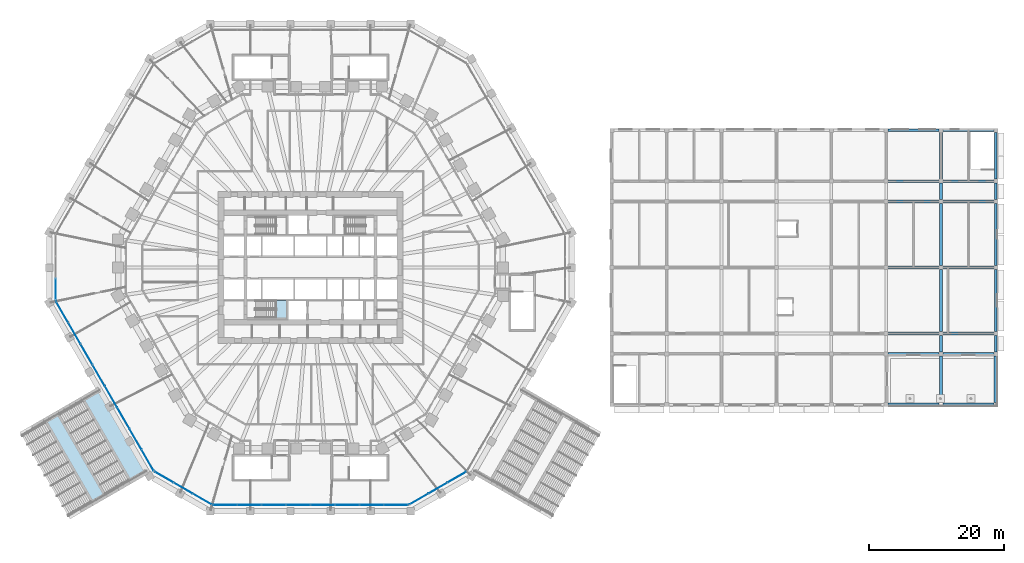
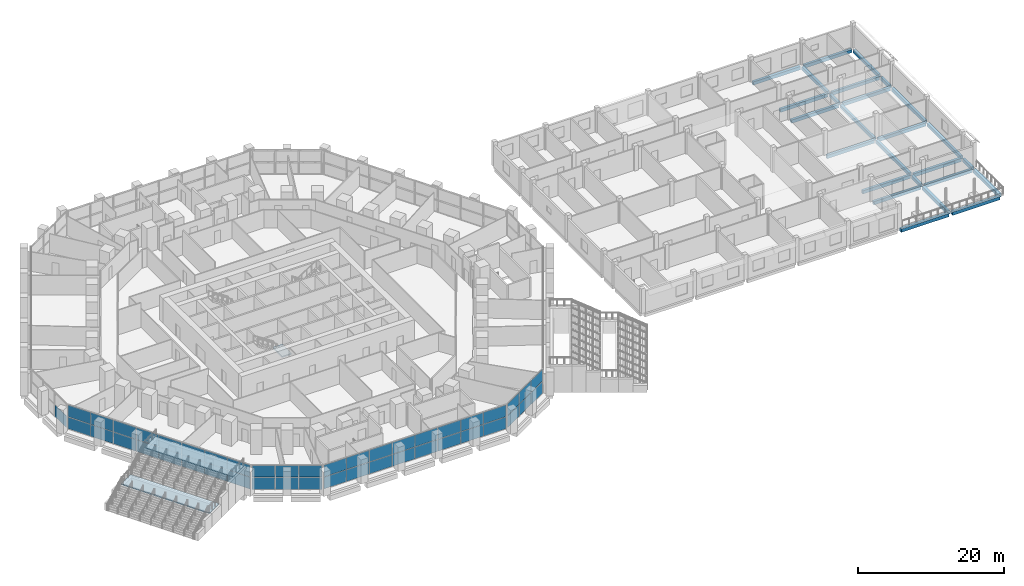
# One storey, part 16 of 38: 45 plates, 26 beams, 3 slabs, 7 elements without a shape of their own.
"""IFC4 building model written with IfcOpenShell, lengths in metres."""

from ifc_helpers import new_model, si_unit, direction, frame, origin, origin_2d, place, context, subcontext, project, spatial, polyline, rectangle, outline, extrude, material, layer, layer_set, material_profile, profile_set, type_object, element, aggregate, save


model = new_model("IFC4")

# Units and contexts
model_context = context("Model", 3, precision=1e-05, world=origin(), true_north=direction((0.0, 1.0)))
body_context = subcontext(model_context, "Body", "Model", "MODEL_VIEW")
ifc_project = project(units=[si_unit("LENGTHUNIT", "METRE"), si_unit("AREAUNIT", "SQUARE_METRE"), si_unit("VOLUMEUNIT", "CUBIC_METRE"), si_unit("PLANEANGLEUNIT", "RADIAN"), si_unit("MASSUNIT", "GRAM", prefix="KILO")], contexts=[model_context])

# Site, building, storey
site_placement = place(None, origin())
site = spatial("IfcSite", under=ifc_project, at=site_placement, CompositionType="ELEMENT")
building_placement = place(site_placement, origin())
building = spatial("IfcBuilding", under=site, at=building_placement, Name="Frailejon Research Tower", CompositionType="ELEMENT")
storey_placement = place(building_placement, frame((0.0, 0.0, 10.199951171875)))
storey = spatial("IfcBuildingStorey", under=building, at=storey_placement, Name="L02", CompositionType="ELEMENT", Elevation=10.199951171875)

# Beams
ifc_material_1 = material(Name="Concrete C35/45", Category="concrete")
ifc_material_profile_1 = material_profile(ifc_material_1, rectangle(XDim=0.39990234375, YDim=0.550048828125, at=origin_2d()), Name="HC floor beam 400x550")
ifc_profile_set_1 = profile_set([ifc_material_profile_1], Name="Concrete C35/45")
beam_type_1 = type_object("IfcBeamType", Name="HC floor beam 400x550", PredefinedType="BEAM", material=ifc_profile_set_1)
for number, where, z_axis, x_axis, name in (
    (1, (85.300048828125, -12.75, -0.52490234375), (1.0, 0.0, 0.0), (0.0, 1.0, 0.0), "HC floor beam"),
    (2, (93.39990234375, -12.75, -0.52490234375), (1.0, 0.0, 0.0), (0.0, 1.0, 0.0), "HC floor beam"),
    (3, (85.300048828125, -9.75, -0.52490234375), (1.0, 0.0, 0.0), (0.0, 1.0, 0.0), "HC floor beam"),
    (4, (93.39990234375, -9.75, -0.52490234375), (1.0, 0.0, 0.0), (0.0, 1.0, 0.0), "HC floor beam"),
    (5, (85.300048828125, 0.0, -0.52490234375), (1.0, 0.0, 0.0), (0.0, 1.0, 0.0), "HC floor beam"),
    (6, (93.39990234375, 0.0, -0.52490234375), (1.0, 0.0, 0.0), (0.0, 1.0, 0.0), "HC floor beam"),
    (7, (85.300048828125, 9.75, -0.52490234375), (1.0, 0.0, 0.0), (0.0, 1.0, 0.0), "HC floor beam"),
    (8, (93.39990234375, 9.75, -0.52490234375), (1.0, 0.0, 0.0), (0.0, 1.0, 0.0), "HC floor beam"),
    (9, (85.300048828125, 12.75, -0.52490234375), (1.0, 0.0, 0.0), (0.0, 1.0, 0.0), "HC floor beam"),
    (10, (93.39990234375, 12.75, -0.52490234375), (1.0, 0.0, 0.0), (0.0, 1.0, 0.0), "HC floor beam"),
    (11, (85.300048828125, 20.25, -0.52490234375), (1.0, 0.0, 0.0), (0.0, 1.0, 0.0), "HC floor beam"),
    (12, (93.39990234375, 20.25, -0.52490234375), (1.0, 0.0, 0.0), (0.0, 1.0, 0.0), "HC floor beam"),
):
    element("IfcBeam", number, at=place(storey_placement, frame(where, z_axis=z_axis, x_axis=x_axis)), inside=storey, type_object=beam_type_1, Name=name, PredefinedType="BEAM", context=body_context, shape_type="SweptSolid", body=[
        extrude(rectangle(XDim=0.39990234375, YDim=0.550048828125, at=origin_2d()), origin(), (0.0, 0.0, 1.0), 7.5),
    ])
beam_1_placement = place(storey_placement, frame((93.10009765625, -12.449951171875, -0.52490234375), z_axis=(0.0, 1.0, 0.0), x_axis=(-1.0, 0.0, 0.0)))
element("IfcBeam", 13, at=beam_1_placement, inside=storey, type_object=beam_type_1, Name="HC floor beam", PredefinedType="BEAM", context=body_context, shape_type="SweptSolid", body=[
    extrude(rectangle(XDim=0.39990234375, YDim=0.550048828125, at=origin_2d()), origin(), (0.0, 0.0, 1.0), 2.39990234375),
])
for number, where, z_axis, x_axis, name in (
    (14, (93.10009765625, -9.449951171875, -0.52490234375), (0.0, 1.0, 0.0), (-1.0, 0.0, 0.0), "HC floor beam"),
    (15, (93.10009765625, 0.300048828125, -0.52490234375), (0.0, 1.0, 0.0), (-1.0, 0.0, 0.0), "HC floor beam"),
):
    element("IfcBeam", number, at=place(storey_placement, frame(where, z_axis=z_axis, x_axis=x_axis)), inside=storey, type_object=beam_type_1, Name=name, PredefinedType="BEAM", context=body_context, shape_type="SweptSolid", body=[
        extrude(rectangle(XDim=0.39990234375, YDim=0.550048828125, at=origin_2d()), origin(), (0.0, 0.0, 1.0), 9.14990234375),
    ])
beam_2_placement = place(storey_placement, frame((93.10009765625, 10.050048828125, -0.52490234375), z_axis=(0.0, 1.0, 0.0), x_axis=(-1.0, 0.0, 0.0)))
element("IfcBeam", 16, at=beam_2_placement, inside=storey, type_object=beam_type_1, Name="HC floor beam", PredefinedType="BEAM", context=body_context, shape_type="SweptSolid", body=[
    extrude(rectangle(XDim=0.39990234375, YDim=0.550048828125, at=origin_2d()), origin(), (0.0, 0.0, 1.0), 2.39990234375),
])
beam_3_placement = place(storey_placement, frame((93.10009765625, 13.050048828125, -0.52490234375), z_axis=(0.0, 1.0, 0.0), x_axis=(-1.0, 0.0, 0.0)))
element("IfcBeam", 17, at=beam_3_placement, inside=storey, type_object=beam_type_1, Name="HC floor beam", PredefinedType="BEAM", context=body_context, shape_type="SweptSolid", body=[
    extrude(rectangle(XDim=0.39990234375, YDim=0.550048828125, at=origin_2d()), origin(), (0.0, 0.0, 1.0), 6.89990234375),
])
beam_4_placement = place(storey_placement, frame((101.199951171875, -12.449951171875, -0.52490234375), z_axis=(0.0, 1.0, 0.0), x_axis=(-1.0, 0.0, 0.0)))
element("IfcBeam", 18, at=beam_4_placement, inside=storey, type_object=beam_type_1, Name="HC floor beam", PredefinedType="BEAM", context=body_context, shape_type="SweptSolid", body=[
    extrude(rectangle(XDim=0.39990234375, YDim=0.550048828125, at=origin_2d()), origin(), (0.0, 0.0, 1.0), 2.39990234375),
])
for number, where, z_axis, x_axis, name in (
    (19, (101.199951171875, -9.449951171875, -0.52490234375), (0.0, 1.0, 0.0), (-1.0, 0.0, 0.0), "HC floor beam"),
    (20, (101.199951171875, 0.300048828125, -0.52490234375), (0.0, 1.0, 0.0), (-1.0, 0.0, 0.0), "HC floor beam"),
):
    element("IfcBeam", number, at=place(storey_placement, frame(where, z_axis=z_axis, x_axis=x_axis)), inside=storey, type_object=beam_type_1, Name=name, PredefinedType="BEAM", context=body_context, shape_type="SweptSolid", body=[
        extrude(rectangle(XDim=0.39990234375, YDim=0.550048828125, at=origin_2d()), origin(), (0.0, 0.0, 1.0), 9.14990234375),
    ])
beam_5_placement = place(storey_placement, frame((101.199951171875, 10.050048828125, -0.52490234375), z_axis=(0.0, 1.0, 0.0), x_axis=(-1.0, 0.0, 0.0)))
element("IfcBeam", 21, at=beam_5_placement, inside=storey, type_object=beam_type_1, Name="HC floor beam", PredefinedType="BEAM", context=body_context, shape_type="SweptSolid", body=[
    extrude(rectangle(XDim=0.39990234375, YDim=0.550048828125, at=origin_2d()), origin(), (0.0, 0.0, 1.0), 2.39990234375),
])
beam_6_placement = place(storey_placement, frame((101.199951171875, 13.050048828125, -0.52490234375), z_axis=(0.0, 1.0, 0.0), x_axis=(-1.0, 0.0, 0.0)))
element("IfcBeam", 22, at=beam_6_placement, inside=storey, type_object=beam_type_1, Name="HC floor beam", PredefinedType="BEAM", context=body_context, shape_type="SweptSolid", body=[
    extrude(rectangle(XDim=0.39990234375, YDim=0.550048828125, at=origin_2d()), origin(), (0.0, 0.0, 1.0), 6.89990234375),
])
ifc_material_2 = material(Name="Concrete C35/45", Category="concrete")
ifc_material_profile_2 = material_profile(ifc_material_2, rectangle(XDim=0.5, YDim=0.550048828125, at=origin_2d()), Name="HC terrace beam 500x550")
ifc_profile_set_2 = profile_set([ifc_material_profile_2], Name="Concrete C35/45")
beam_type_2 = type_object("IfcBeamType", Name="HC terrace beam 500x550", PredefinedType="BEAM", material=ifc_profile_set_2)
for number, where, z_axis, x_axis, name in (
    (23, (85.300048828125, -20.25, -0.52490234375), (1.0, 0.0, 0.0), (0.0, 1.0, 0.0), "HC terrace floor beam"),
    (24, (93.39990234375, -20.25, -0.52490234375), (1.0, 0.0, 0.0), (0.0, 1.0, 0.0), "HC terrace floor beam"),
):
    element("IfcBeam", number, at=place(storey_placement, frame(where, z_axis=z_axis, x_axis=x_axis)), inside=storey, type_object=beam_type_2, Name=name, PredefinedType="BEAM", context=body_context, shape_type="SweptSolid", body=[
        extrude(rectangle(XDim=0.5, YDim=0.550048828125, at=origin_2d()), origin(), (0.0, 0.0, 1.0), 7.5),
    ])
for number, where, z_axis, x_axis, name in (
    (25, (93.10009765625, -19.949951171875, -0.52490234375), (0.0, 1.0, 0.0), (-1.0, 0.0, 0.0), "HC terrace floor beam"),
    (26, (101.199951171875, -19.949951171875, -0.52490234375), (0.0, 1.0, 0.0), (-1.0, 0.0, 0.0), "HC terrace floor beam"),
):
    element("IfcBeam", number, at=place(storey_placement, frame(where, z_axis=z_axis, x_axis=x_axis)), inside=storey, type_object=beam_type_2, Name=name, PredefinedType="BEAM", context=body_context, shape_type="SweptSolid", body=[
        extrude(rectangle(XDim=0.5, YDim=0.550048828125, at=origin_2d()), origin(), (0.0, 0.0, 1.0), 6.89990234375),
    ])

# Stair, slabs
ifc_material_3 = material(Name="Concrete C35/45", Category="concrete")
stair_type_1 = type_object("IfcStairType", Name="Broad stair", PredefinedType="STRAIGHT_RUN_STAIR", material=ifc_material_3)
stair_1_placement = place(storey_placement, origin())
stair_1 = element("IfcStair", 27, at=stair_1_placement, inside=storey, type_object=stair_type_1, Name="Broad stair W3", PredefinedType="STRAIGHT_RUN_STAIR")
ifc_material_4 = material(Name="Concrete C35/45", Category="concrete")
ifc_layer_1 = layer(ifc_material_4, 0.199951171875)
ifc_layer_set_1 = layer_set([ifc_layer_1], Name="Broad stair landing")
slab_type_1 = type_object("IfcSlabType", Name="Broad stair landing", PredefinedType="LANDING", material=ifc_layer_set_1)
slab_1_placement = place(storey_placement, frame((0.0, 0.0, 4.199951171875)))
slab_1 = element("IfcSlab", 28, at=slab_1_placement, type_object=slab_type_1, Name="SS-W3 landing 1", PredefinedType="LANDING", context=body_context, shape_type="SweptSolid", body=[
    extrude(outline(polyline([(-31.133544921875, -17.97509765625), (-33.818359375, -19.52490234375), (-26.818359375, -31.6494140625), (-24.133544921875, -30.099365234375), (-31.133544921875, -17.97509765625)])), origin(), (0.0, 0.0, 1.0), 0.2001953125),
])
slab_2_placement = place(storey_placement, frame((0.0, 0.0, 2.0)))
slab_2 = element("IfcSlab", 29, at=slab_2_placement, type_object=slab_type_1, Name="SS-W3 landing 2", PredefinedType="LANDING", context=body_context, shape_type="SweptSolid", body=[
    extrude(outline(polyline([(-37.109130859375, -21.425048828125), (-39.36083984375, -22.72509765625), (-32.36083984375, -34.849365234375), (-30.109130859375, -33.54931640625), (-37.109130859375, -21.425048828125)])), origin(), (0.0, 0.0, 1.0), 0.199951171875),
])
aggregate(stair_1, [slab_1, slab_2])

# Curtain wall, plate
ifc_material_5 = material(Name="Aluminium curtain wall", Category="aluminium")
curtain_wall_type = type_object("IfcCurtainWallType", Name="Podium stick curtain wall system", PredefinedType="NOTDEFINED", material=ifc_material_5)
curtain_wall_1_placement = place(storey_placement, origin())
curtain_wall_1 = element("IfcCurtainWall", 30, at=curtain_wall_1_placement, inside=storey, type_object=curtain_wall_type, Name="Curtain wall L02", PredefinedType="NOTDEFINED")
ifc_material_6 = material(Name="Clear laminated glass", Category="glass")
ifc_layer_2 = layer(ifc_material_6, 0.031982421875)
ifc_layer_set_2 = layer_set([ifc_layer_2], Name="Podium stick curtain wall glass panel 32")
plate_type = type_object("IfcPlateType", Name="Podium stick curtain wall glass panel 32", PredefinedType="CURTAIN_PANEL", material=ifc_layer_set_2)
plate_1_placement = place(storey_placement, frame((-37.619140625, -3.212646484375, 0.06005859375), z_axis=(0.0, 0.0, 1.0), x_axis=(0.0, -1.0, 0.0)))
plate_1 = element("IfcPlate", 31, at=plate_1_placement, type_object=plate_type, Name="CW2-039 panel 3.1", PredefinedType="CURTAIN_PANEL", context=body_context, shape_type="SweptSolid", body=[
    extrude(rectangle(XDim=3.1376953125, YDim=0.031982421875, at=origin_2d()), origin(), (0.0, 0.0, 1.0), 1.9599609375),
])
aggregate(curtain_wall_1, [plate_1])

# Curtain wall, plates
curtain_wall_2_placement = place(storey_placement, origin())
curtain_wall_2 = element("IfcCurtainWall", 32, at=curtain_wall_2_placement, inside=storey, type_object=curtain_wall_type, Name="Curtain wall L02", PredefinedType="NOTDEFINED")
plate_2_placement = place(storey_placement, frame((-36.659912109375, -6.603271484375, 0.06005859375), z_axis=(0.0, 0.0, 1.0), x_axis=(0.499998396888, -0.86602632934, 0.0)))
plate_2 = element("IfcPlate", 33, at=plate_2_placement, type_object=plate_type, Name="CW2-040 panel 1.1", PredefinedType="CURTAIN_PANEL", context=body_context, shape_type="SweptSolid", body=[
    extrude(rectangle(XDim=3.517578125, YDim=0.031982421875, at=origin_2d()), origin(), (0.0, 0.0, 1.0), 1.9599609375),
])
plate_3_placement = place(storey_placement, frame((-36.659912109375, -6.603271484375, 2.080078125), z_axis=(0.0, 0.0, 1.0), x_axis=(0.499998396888, -0.86602632934, 0.0)))
plate_3 = element("IfcPlate", 34, at=plate_3_placement, type_object=plate_type, Name="CW2-040 panel 1.2", PredefinedType="CURTAIN_PANEL", context=body_context, shape_type="SweptSolid", body=[
    extrude(rectangle(XDim=3.517578125, YDim=0.031982421875, at=origin_2d()), origin(), (0.0, 0.0, 1.0), 1.9599609375),
])
plate_4_placement = place(storey_placement, frame((-34.863525390625, -9.714599609375, 0.06005859375), z_axis=(0.0, 0.0, 1.0), x_axis=(0.499998396888, -0.86602632934, 0.0)))
plate_4 = element("IfcPlate", 35, at=plate_4_placement, type_object=plate_type, Name="CW2-040 panel 2.1", PredefinedType="CURTAIN_PANEL", context=body_context, shape_type="SweptSolid", body=[
    extrude(rectangle(XDim=3.547607421875, YDim=0.031982421875, at=origin_2d()), origin(), (0.0, 0.0, 1.0), 1.9599609375),
])
plate_5_placement = place(storey_placement, frame((-34.863525390625, -9.714599609375, 2.080078125), z_axis=(0.0, 0.0, 1.0), x_axis=(0.499998396888, -0.86602632934, 0.0)))
plate_5 = element("IfcPlate", 36, at=plate_5_placement, type_object=plate_type, Name="CW2-040 panel 2.2", PredefinedType="CURTAIN_PANEL", context=body_context, shape_type="SweptSolid", body=[
    extrude(rectangle(XDim=3.547607421875, YDim=0.031982421875, at=origin_2d()), origin(), (0.0, 0.0, 1.0), 1.9599609375),
])
plate_6_placement = place(storey_placement, frame((-33.059814453125, -12.838623046875, 0.06005859375), z_axis=(0.0, 0.0, 1.0), x_axis=(0.499998396888, -0.86602632934, 0.0)))
plate_6 = element("IfcPlate", 37, at=plate_6_placement, type_object=plate_type, Name="CW2-040 panel 3.1", PredefinedType="CURTAIN_PANEL", context=body_context, shape_type="SweptSolid", body=[
    extrude(rectangle(XDim=3.547607421875, YDim=0.031982421875, at=origin_2d()), origin(), (0.0, 0.0, 1.0), 1.9599609375),
])
plate_7_placement = place(storey_placement, frame((-33.059814453125, -12.838623046875, 2.080078125), z_axis=(0.0, 0.0, 1.0), x_axis=(0.499998396888, -0.86602632934, 0.0)))
plate_7 = element("IfcPlate", 38, at=plate_7_placement, type_object=plate_type, Name="CW2-040 panel 3.2", PredefinedType="CURTAIN_PANEL", context=body_context, shape_type="SweptSolid", body=[
    extrude(rectangle(XDim=3.547607421875, YDim=0.031982421875, at=origin_2d()), origin(), (0.0, 0.0, 1.0), 1.9599609375),
])
plate_8_placement = place(storey_placement, frame((-31.256103515625, -15.962890625, 0.06005859375), z_axis=(0.0, 0.0, 1.0), x_axis=(0.499998396888, -0.86602632934, 0.0)))
plate_8 = element("IfcPlate", 39, at=plate_8_placement, type_object=plate_type, Name="CW2-040 panel 4.1", PredefinedType="CURTAIN_PANEL", context=body_context, shape_type="SweptSolid", body=[
    extrude(rectangle(XDim=3.547607421875, YDim=0.031982421875, at=origin_2d()), origin(), (0.0, 0.0, 1.0), 1.9599609375),
])
plate_9_placement = place(storey_placement, frame((-31.256103515625, -15.962890625, 2.080078125), z_axis=(0.0, 0.0, 1.0), x_axis=(0.499998396888, -0.86602632934, 0.0)))
plate_9 = element("IfcPlate", 40, at=plate_9_placement, type_object=plate_type, Name="CW2-040 panel 4.2", PredefinedType="CURTAIN_PANEL", context=body_context, shape_type="SweptSolid", body=[
    extrude(rectangle(XDim=3.547607421875, YDim=0.031982421875, at=origin_2d()), origin(), (0.0, 0.0, 1.0), 1.9599609375),
])
plate_10_placement = place(storey_placement, frame((-29.452392578125, -19.087158203125, 0.06005859375), z_axis=(0.0, 0.0, 1.0), x_axis=(0.499998396888, -0.86602632934, 0.0)))
plate_10 = element("IfcPlate", 41, at=plate_10_placement, type_object=plate_type, Name="CW2-040 panel 5.1", PredefinedType="CURTAIN_PANEL", context=body_context, shape_type="SweptSolid", body=[
    extrude(rectangle(XDim=3.547607421875, YDim=0.031982421875, at=origin_2d()), origin(), (0.0, 0.0, 1.0), 1.9599609375),
])
plate_11_placement = place(storey_placement, frame((-29.452392578125, -19.087158203125, 2.080078125), z_axis=(0.0, 0.0, 1.0), x_axis=(0.499998396888, -0.86602632934, 0.0)))
plate_11 = element("IfcPlate", 42, at=plate_11_placement, type_object=plate_type, Name="CW2-040 panel 5.2", PredefinedType="CURTAIN_PANEL", context=body_context, shape_type="SweptSolid", body=[
    extrude(rectangle(XDim=3.547607421875, YDim=0.031982421875, at=origin_2d()), origin(), (0.0, 0.0, 1.0), 1.9599609375),
])
plate_12_placement = place(storey_placement, frame((-27.648681640625, -22.211181640625, 0.06005859375), z_axis=(0.0, 0.0, 1.0), x_axis=(0.499998396888, -0.86602632934, 0.0)))
plate_12 = element("IfcPlate", 43, at=plate_12_placement, type_object=plate_type, Name="CW2-040 panel 6.1", PredefinedType="CURTAIN_PANEL", context=body_context, shape_type="SweptSolid", body=[
    extrude(rectangle(XDim=3.547607421875, YDim=0.031982421875, at=origin_2d()), origin(), (0.0, 0.0, 1.0), 1.9599609375),
])
plate_13_placement = place(storey_placement, frame((-27.648681640625, -22.211181640625, 2.080078125), z_axis=(0.0, 0.0, 1.0), x_axis=(0.499998396888, -0.86602632934, 0.0)))
plate_13 = element("IfcPlate", 44, at=plate_13_placement, type_object=plate_type, Name="CW2-040 panel 6.2", PredefinedType="CURTAIN_PANEL", context=body_context, shape_type="SweptSolid", body=[
    extrude(rectangle(XDim=3.547607421875, YDim=0.031982421875, at=origin_2d()), origin(), (0.0, 0.0, 1.0), 1.9599609375),
])
plate_14_placement = place(storey_placement, frame((-25.8447265625, -25.33544921875, 0.06005859375), z_axis=(0.0, 0.0, 1.0), x_axis=(0.499998396888, -0.86602632934, 0.0)))
plate_14 = element("IfcPlate", 45, at=plate_14_placement, type_object=plate_type, Name="CW2-040 panel 7.1", PredefinedType="CURTAIN_PANEL", context=body_context, shape_type="SweptSolid", body=[
    extrude(rectangle(XDim=3.547607421875, YDim=0.031982421875, at=origin_2d()), origin(), (0.0, 0.0, 1.0), 1.9599609375),
])
plate_15_placement = place(storey_placement, frame((-25.8447265625, -25.33544921875, 2.080078125), z_axis=(0.0, 0.0, 1.0), x_axis=(0.499998396888, -0.86602632934, 0.0)))
plate_15 = element("IfcPlate", 46, at=plate_15_placement, type_object=plate_type, Name="CW2-040 panel 7.2", PredefinedType="CURTAIN_PANEL", context=body_context, shape_type="SweptSolid", body=[
    extrude(rectangle(XDim=3.547607421875, YDim=0.031982421875, at=origin_2d()), origin(), (0.0, 0.0, 1.0), 1.9599609375),
])
plate_16_placement = place(storey_placement, frame((-24.048583984375, -28.44677734375, 0.06005859375), z_axis=(0.0, 0.0, 1.0), x_axis=(0.499998396888, -0.86602632934, 0.0)))
plate_16 = element("IfcPlate", 47, at=plate_16_placement, type_object=plate_type, Name="CW2-040 panel 8.1", PredefinedType="CURTAIN_PANEL", context=body_context, shape_type="SweptSolid", body=[
    extrude(rectangle(XDim=3.517578125, YDim=0.031982421875, at=origin_2d()), origin(), (0.0, 0.0, 1.0), 1.9599609375),
])
plate_17_placement = place(storey_placement, frame((-24.048583984375, -28.44677734375, 2.080078125), z_axis=(0.0, 0.0, 1.0), x_axis=(0.499998396888, -0.86602632934, 0.0)))
plate_17 = element("IfcPlate", 48, at=plate_17_placement, type_object=plate_type, Name="CW2-040 panel 8.2", PredefinedType="CURTAIN_PANEL", context=body_context, shape_type="SweptSolid", body=[
    extrude(rectangle(XDim=3.517578125, YDim=0.031982421875, at=origin_2d()), origin(), (0.0, 0.0, 1.0), 1.9599609375),
])
aggregate(curtain_wall_2, [plate_2, plate_3, plate_4, plate_5, plate_6, plate_7, plate_8, plate_9, plate_10, plate_11, plate_12, plate_13, plate_14, plate_15, plate_16, plate_17])

curtain_wall_3_placement = place(storey_placement, origin())
curtain_wall_3 = element("IfcCurtainWall", 49, at=curtain_wall_3_placement, inside=storey, type_object=curtain_wall_type, Name="Curtain wall L02", PredefinedType="NOTDEFINED")
plate_18_placement = place(storey_placement, frame((-21.592041015625, -30.972900390625, 0.06005859375), z_axis=(0.0, 0.0, 1.0), x_axis=(0.866025476338, -0.499999874334, 0.0)))
plate_18 = element("IfcPlate", 50, at=plate_18_placement, type_object=plate_type, Name="CW2-041 panel 1.1", PredefinedType="CURTAIN_PANEL", context=body_context, shape_type="SweptSolid", body=[
    extrude(rectangle(XDim=3.1376953125, YDim=0.031982421875, at=origin_2d()), origin(), (0.0, 0.0, 1.0), 1.9599609375),
])
plate_19_placement = place(storey_placement, frame((-21.592041015625, -30.972900390625, 2.080078125), z_axis=(0.0, 0.0, 1.0), x_axis=(0.866025476338, -0.499999874334, 0.0)))
plate_19 = element("IfcPlate", 51, at=plate_19_placement, type_object=plate_type, Name="CW2-041 panel 1.2", PredefinedType="CURTAIN_PANEL", context=body_context, shape_type="SweptSolid", body=[
    extrude(rectangle(XDim=3.1376953125, YDim=0.031982421875, at=origin_2d()), origin(), (0.0, 0.0, 1.0), 1.9599609375),
])
plate_20_placement = place(storey_placement, frame((-18.8095703125, -32.5791015625, 0.06005859375), z_axis=(0.0, 0.0, 1.0), x_axis=(0.866025476338, -0.499999874334, 0.0)))
plate_20 = element("IfcPlate", 52, at=plate_20_placement, type_object=plate_type, Name="CW2-041 panel 2.1", PredefinedType="CURTAIN_PANEL", context=body_context, shape_type="SweptSolid", body=[
    extrude(rectangle(XDim=3.167724609375, YDim=0.031982421875, at=origin_2d()), origin(), (0.0, 0.0, 1.0), 1.9599609375),
])
plate_21_placement = place(storey_placement, frame((-18.8095703125, -32.5791015625, 2.080078125), z_axis=(0.0, 0.0, 1.0), x_axis=(0.866025476338, -0.499999874334, 0.0)))
plate_21 = element("IfcPlate", 53, at=plate_21_placement, type_object=plate_type, Name="CW2-041 panel 2.2", PredefinedType="CURTAIN_PANEL", context=body_context, shape_type="SweptSolid", body=[
    extrude(rectangle(XDim=3.167724609375, YDim=0.031982421875, at=origin_2d()), origin(), (0.0, 0.0, 1.0), 1.9599609375),
])
plate_22_placement = place(storey_placement, frame((-16.02734375, -34.185546875, 0.06005859375), z_axis=(0.0, 0.0, 1.0), x_axis=(0.866025476338, -0.499999874334, 0.0)))
plate_22 = element("IfcPlate", 54, at=plate_22_placement, type_object=plate_type, Name="CW2-041 panel 3.1", PredefinedType="CURTAIN_PANEL", context=body_context, shape_type="SweptSolid", body=[
    extrude(rectangle(XDim=3.1376953125, YDim=0.031982421875, at=origin_2d()), origin(), (0.0, 0.0, 1.0), 1.9599609375),
])
plate_23_placement = place(storey_placement, frame((-16.02734375, -34.185546875, 2.080078125), z_axis=(0.0, 0.0, 1.0), x_axis=(0.866025476338, -0.499999874334, 0.0)))
plate_23 = element("IfcPlate", 55, at=plate_23_placement, type_object=plate_type, Name="CW2-041 panel 3.2", PredefinedType="CURTAIN_PANEL", context=body_context, shape_type="SweptSolid", body=[
    extrude(rectangle(XDim=3.1376953125, YDim=0.031982421875, at=origin_2d()), origin(), (0.0, 0.0, 1.0), 1.9599609375),
])
aggregate(curtain_wall_3, [plate_18, plate_19, plate_20, plate_21, plate_22, plate_23])

curtain_wall_4_placement = place(storey_placement, origin())
curtain_wall_4 = element("IfcCurtainWall", 56, at=curtain_wall_4_placement, inside=storey, type_object=curtain_wall_type, Name="Curtain wall L02", PredefinedType="NOTDEFINED")
plate_24_placement = place(storey_placement, frame((-12.611328125, -35.050048828125, 0.06005859375), z_axis=(0.0, 0.0, 1.0), x_axis=(1.0, 0.0, 0.0)))
plate_24 = element("IfcPlate", 57, at=plate_24_placement, type_object=plate_type, Name="CW2-042 panel 1.1", PredefinedType="CURTAIN_PANEL", context=body_context, shape_type="SweptSolid", body=[
    extrude(rectangle(XDim=3.517578125, YDim=0.031982421875, at=origin_2d()), origin(), (0.0, 0.0, 1.0), 1.9599609375),
])
plate_25_placement = place(storey_placement, frame((-12.611328125, -35.050048828125, 2.080078125), z_axis=(0.0, 0.0, 1.0), x_axis=(1.0, 0.0, 0.0)))
plate_25 = element("IfcPlate", 58, at=plate_25_placement, type_object=plate_type, Name="CW2-042 panel 1.2", PredefinedType="CURTAIN_PANEL", context=body_context, shape_type="SweptSolid", body=[
    extrude(rectangle(XDim=3.517578125, YDim=0.031982421875, at=origin_2d()), origin(), (0.0, 0.0, 1.0), 1.9599609375),
])
plate_26_placement = place(storey_placement, frame((-9.018798828125, -35.050048828125, 0.06005859375), z_axis=(0.0, 0.0, 1.0), x_axis=(1.0, 0.0, 0.0)))
plate_26 = element("IfcPlate", 59, at=plate_26_placement, type_object=plate_type, Name="CW2-042 panel 2.1", PredefinedType="CURTAIN_PANEL", context=body_context, shape_type="SweptSolid", body=[
    extrude(rectangle(XDim=3.547607421875, YDim=0.031982421875, at=origin_2d()), origin(), (0.0, 0.0, 1.0), 1.9599609375),
])
plate_27_placement = place(storey_placement, frame((-9.018798828125, -35.050048828125, 2.080078125), z_axis=(0.0, 0.0, 1.0), x_axis=(1.0, 0.0, 0.0)))
plate_27 = element("IfcPlate", 60, at=plate_27_placement, type_object=plate_type, Name="CW2-042 panel 2.2", PredefinedType="CURTAIN_PANEL", context=body_context, shape_type="SweptSolid", body=[
    extrude(rectangle(XDim=3.547607421875, YDim=0.031982421875, at=origin_2d()), origin(), (0.0, 0.0, 1.0), 1.9599609375),
])
plate_28_placement = place(storey_placement, frame((-5.411376953125, -35.050048828125, 0.06005859375), z_axis=(0.0, 0.0, 1.0), x_axis=(1.0, 0.0, 0.0)))
plate_28 = element("IfcPlate", 61, at=plate_28_placement, type_object=plate_type, Name="CW2-042 panel 3.1", PredefinedType="CURTAIN_PANEL", context=body_context, shape_type="SweptSolid", body=[
    extrude(rectangle(XDim=3.547607421875, YDim=0.031982421875, at=origin_2d()), origin(), (0.0, 0.0, 1.0), 1.9599609375),
])
plate_29_placement = place(storey_placement, frame((-5.411376953125, -35.050048828125, 2.080078125), z_axis=(0.0, 0.0, 1.0), x_axis=(1.0, 0.0, 0.0)))
plate_29 = element("IfcPlate", 62, at=plate_29_placement, type_object=plate_type, Name="CW2-042 panel 3.2", PredefinedType="CURTAIN_PANEL", context=body_context, shape_type="SweptSolid", body=[
    extrude(rectangle(XDim=3.547607421875, YDim=0.031982421875, at=origin_2d()), origin(), (0.0, 0.0, 1.0), 1.9599609375),
])
plate_30_placement = place(storey_placement, frame((-1.8037109375, -35.050048828125, 0.06005859375), z_axis=(0.0, 0.0, 1.0), x_axis=(1.0, 0.0, 0.0)))
plate_30 = element("IfcPlate", 63, at=plate_30_placement, type_object=plate_type, Name="CW2-042 panel 4.1", PredefinedType="CURTAIN_PANEL", context=body_context, shape_type="SweptSolid", body=[
    extrude(rectangle(XDim=3.547607421875, YDim=0.031982421875, at=origin_2d()), origin(), (0.0, 0.0, 1.0), 1.9599609375),
])
plate_31_placement = place(storey_placement, frame((-1.8037109375, -35.050048828125, 2.080078125), z_axis=(0.0, 0.0, 1.0), x_axis=(1.0, 0.0, 0.0)))
plate_31 = element("IfcPlate", 64, at=plate_31_placement, type_object=plate_type, Name="CW2-042 panel 4.2", PredefinedType="CURTAIN_PANEL", context=body_context, shape_type="SweptSolid", body=[
    extrude(rectangle(XDim=3.547607421875, YDim=0.031982421875, at=origin_2d()), origin(), (0.0, 0.0, 1.0), 1.9599609375),
])
plate_32_placement = place(storey_placement, frame((1.8037109375, -35.050048828125, 0.06005859375), z_axis=(0.0, 0.0, 1.0), x_axis=(1.0, 0.0, 0.0)))
plate_32 = element("IfcPlate", 65, at=plate_32_placement, type_object=plate_type, Name="CW2-042 panel 5.1", PredefinedType="CURTAIN_PANEL", context=body_context, shape_type="SweptSolid", body=[
    extrude(rectangle(XDim=3.547607421875, YDim=0.031982421875, at=origin_2d()), origin(), (0.0, 0.0, 1.0), 1.9599609375),
])
plate_33_placement = place(storey_placement, frame((1.8037109375, -35.050048828125, 2.080078125), z_axis=(0.0, 0.0, 1.0), x_axis=(1.0, 0.0, 0.0)))
plate_33 = element("IfcPlate", 66, at=plate_33_placement, type_object=plate_type, Name="CW2-042 panel 5.2", PredefinedType="CURTAIN_PANEL", context=body_context, shape_type="SweptSolid", body=[
    extrude(rectangle(XDim=3.547607421875, YDim=0.031982421875, at=origin_2d()), origin(), (0.0, 0.0, 1.0), 1.9599609375),
])
plate_34_placement = place(storey_placement, frame((5.411376953125, -35.050048828125, 0.06005859375), z_axis=(0.0, 0.0, 1.0), x_axis=(1.0, 0.0, 0.0)))
plate_34 = element("IfcPlate", 67, at=plate_34_placement, type_object=plate_type, Name="CW2-042 panel 6.1", PredefinedType="CURTAIN_PANEL", context=body_context, shape_type="SweptSolid", body=[
    extrude(rectangle(XDim=3.547607421875, YDim=0.031982421875, at=origin_2d()), origin(), (0.0, 0.0, 1.0), 1.9599609375),
])
plate_35_placement = place(storey_placement, frame((5.411376953125, -35.050048828125, 2.080078125), z_axis=(0.0, 0.0, 1.0), x_axis=(1.0, 0.0, 0.0)))
plate_35 = element("IfcPlate", 68, at=plate_35_placement, type_object=plate_type, Name="CW2-042 panel 6.2", PredefinedType="CURTAIN_PANEL", context=body_context, shape_type="SweptSolid", body=[
    extrude(rectangle(XDim=3.547607421875, YDim=0.031982421875, at=origin_2d()), origin(), (0.0, 0.0, 1.0), 1.9599609375),
])
plate_36_placement = place(storey_placement, frame((9.018798828125, -35.050048828125, 0.06005859375), z_axis=(0.0, 0.0, 1.0), x_axis=(1.0, 0.0, 0.0)))
plate_36 = element("IfcPlate", 69, at=plate_36_placement, type_object=plate_type, Name="CW2-042 panel 7.1", PredefinedType="CURTAIN_PANEL", context=body_context, shape_type="SweptSolid", body=[
    extrude(rectangle(XDim=3.547607421875, YDim=0.031982421875, at=origin_2d()), origin(), (0.0, 0.0, 1.0), 1.9599609375),
])
plate_37_placement = place(storey_placement, frame((9.018798828125, -35.050048828125, 2.080078125), z_axis=(0.0, 0.0, 1.0), x_axis=(1.0, 0.0, 0.0)))
plate_37 = element("IfcPlate", 70, at=plate_37_placement, type_object=plate_type, Name="CW2-042 panel 7.2", PredefinedType="CURTAIN_PANEL", context=body_context, shape_type="SweptSolid", body=[
    extrude(rectangle(XDim=3.547607421875, YDim=0.031982421875, at=origin_2d()), origin(), (0.0, 0.0, 1.0), 1.9599609375),
])
plate_38_placement = place(storey_placement, frame((12.611328125, -35.050048828125, 0.06005859375), z_axis=(0.0, 0.0, 1.0), x_axis=(1.0, 0.0, 0.0)))
plate_38 = element("IfcPlate", 71, at=plate_38_placement, type_object=plate_type, Name="CW2-042 panel 8.1", PredefinedType="CURTAIN_PANEL", context=body_context, shape_type="SweptSolid", body=[
    extrude(rectangle(XDim=3.517578125, YDim=0.031982421875, at=origin_2d()), origin(), (0.0, 0.0, 1.0), 1.9599609375),
])
plate_39_placement = place(storey_placement, frame((12.611328125, -35.050048828125, 2.080078125), z_axis=(0.0, 0.0, 1.0), x_axis=(1.0, 0.0, 0.0)))
plate_39 = element("IfcPlate", 72, at=plate_39_placement, type_object=plate_type, Name="CW2-042 panel 8.2", PredefinedType="CURTAIN_PANEL", context=body_context, shape_type="SweptSolid", body=[
    extrude(rectangle(XDim=3.517578125, YDim=0.031982421875, at=origin_2d()), origin(), (0.0, 0.0, 1.0), 1.9599609375),
])
aggregate(curtain_wall_4, [plate_24, plate_25, plate_26, plate_27, plate_28, plate_29, plate_30, plate_31, plate_32, plate_33, plate_34, plate_35, plate_36, plate_37, plate_38, plate_39])

curtain_wall_5_placement = place(storey_placement, origin())
curtain_wall_5 = element("IfcCurtainWall", 73, at=curtain_wall_5_placement, inside=storey, type_object=curtain_wall_type, Name="Curtain wall L02", PredefinedType="NOTDEFINED")
plate_40_placement = place(storey_placement, frame((16.02734375, -34.185546875, 0.06005859375), z_axis=(0.0, 0.0, 1.0), x_axis=(0.866025476338, 0.499999874334, 0.0)))
plate_40 = element("IfcPlate", 74, at=plate_40_placement, type_object=plate_type, Name="CW2-043 panel 1.1", PredefinedType="CURTAIN_PANEL", context=body_context, shape_type="SweptSolid", body=[
    extrude(rectangle(XDim=3.1376953125, YDim=0.031982421875, at=origin_2d()), origin(), (0.0, 0.0, 1.0), 1.9599609375),
])
plate_41_placement = place(storey_placement, frame((16.02734375, -34.185546875, 2.080078125), z_axis=(0.0, 0.0, 1.0), x_axis=(0.866025476338, 0.499999874334, 0.0)))
plate_41 = element("IfcPlate", 75, at=plate_41_placement, type_object=plate_type, Name="CW2-043 panel 1.2", PredefinedType="CURTAIN_PANEL", context=body_context, shape_type="SweptSolid", body=[
    extrude(rectangle(XDim=3.1376953125, YDim=0.031982421875, at=origin_2d()), origin(), (0.0, 0.0, 1.0), 1.9599609375),
])
plate_42_placement = place(storey_placement, frame((18.8095703125, -32.5791015625, 0.06005859375), z_axis=(0.0, 0.0, 1.0), x_axis=(0.866025476338, 0.499999874334, 0.0)))
plate_42 = element("IfcPlate", 76, at=plate_42_placement, type_object=plate_type, Name="CW2-043 panel 2.1", PredefinedType="CURTAIN_PANEL", context=body_context, shape_type="SweptSolid", body=[
    extrude(rectangle(XDim=3.167724609375, YDim=0.031982421875, at=origin_2d()), origin(), (0.0, 0.0, 1.0), 1.9599609375),
])
plate_43_placement = place(storey_placement, frame((18.8095703125, -32.5791015625, 2.080078125), z_axis=(0.0, 0.0, 1.0), x_axis=(0.866025476338, 0.499999874334, 0.0)))
plate_43 = element("IfcPlate", 77, at=plate_43_placement, type_object=plate_type, Name="CW2-043 panel 2.2", PredefinedType="CURTAIN_PANEL", context=body_context, shape_type="SweptSolid", body=[
    extrude(rectangle(XDim=3.167724609375, YDim=0.031982421875, at=origin_2d()), origin(), (0.0, 0.0, 1.0), 1.9599609375),
])
plate_44_placement = place(storey_placement, frame((21.592041015625, -30.972900390625, 0.06005859375), z_axis=(0.0, 0.0, 1.0), x_axis=(0.866025476338, 0.499999874334, 0.0)))
plate_44 = element("IfcPlate", 78, at=plate_44_placement, type_object=plate_type, Name="CW2-043 panel 3.1", PredefinedType="CURTAIN_PANEL", context=body_context, shape_type="SweptSolid", body=[
    extrude(rectangle(XDim=3.1376953125, YDim=0.031982421875, at=origin_2d()), origin(), (0.0, 0.0, 1.0), 1.9599609375),
])
plate_45_placement = place(storey_placement, frame((21.592041015625, -30.972900390625, 2.080078125), z_axis=(0.0, 0.0, 1.0), x_axis=(0.866025476338, 0.499999874334, 0.0)))
plate_45 = element("IfcPlate", 79, at=plate_45_placement, type_object=plate_type, Name="CW2-043 panel 3.2", PredefinedType="CURTAIN_PANEL", context=body_context, shape_type="SweptSolid", body=[
    extrude(rectangle(XDim=3.1376953125, YDim=0.031982421875, at=origin_2d()), origin(), (0.0, 0.0, 1.0), 1.9599609375),
])
aggregate(curtain_wall_5, [plate_40, plate_41, plate_42, plate_43, plate_44, plate_45])

# Stair, slab
ifc_material_7 = material(Name="Concrete C50/60", Category="concrete")
stair_type_2 = type_object("IfcStairType", Name="Exit stair 24 risers", PredefinedType="HALF_TURN_STAIR", material=ifc_material_7)
stair_2_placement = place(storey_placement, origin())
stair_2 = element("IfcStair", 80, at=stair_2_placement, inside=storey, type_object=stair_type_2, Name="L02 Exit stair ST2", PredefinedType="HALF_TURN_STAIR")
ifc_material_8 = material(Name="Concrete C50/60", Category="concrete")
ifc_layer_3 = layer(ifc_material_8, 0.199951171875)
ifc_layer_set_3 = layer_set([ifc_layer_3], Name="Stair landing slab 200")
slab_type_2 = type_object("IfcSlabType", Name="Stair landing slab 200", PredefinedType="LANDING", material=ifc_layer_set_3)
slab_3_placement = place(storey_placement, frame((0.0, 0.0, 2.0)))
slab_3 = element("IfcSlab", 81, at=slab_3_placement, type_object=slab_type_2, Name="ST2 landing 1", PredefinedType="LANDING", context=body_context, shape_type="SweptSolid", body=[
    extrude(outline(polyline([(-5.070068359375, -7.449951171875), (-3.550048828125, -7.449951171875), (-3.550048828125, -4.89990234375), (-5.070068359375, -4.89990234375), (-5.070068359375, -7.449951171875)])), origin(), (0.0, 0.0, 1.0), 0.199951171875),
])
aggregate(stair_2, [slab_3])

save(model, "model.ifc")
